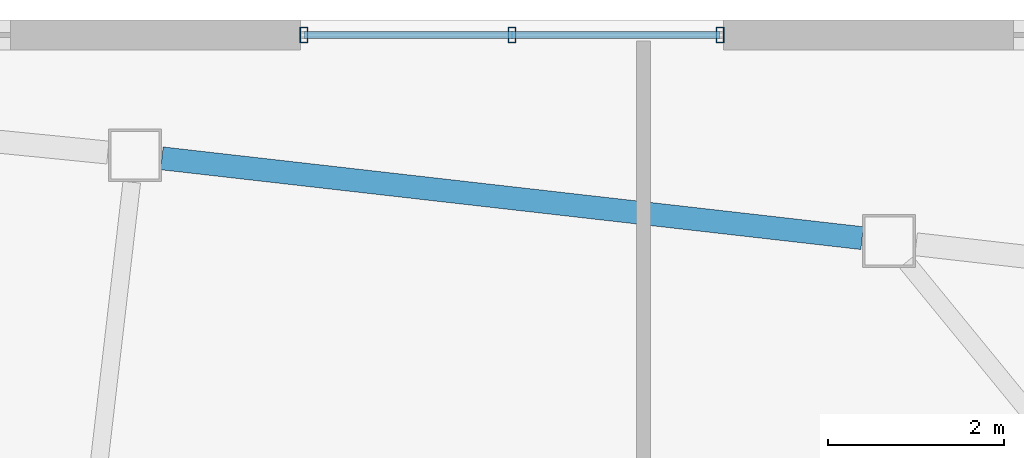
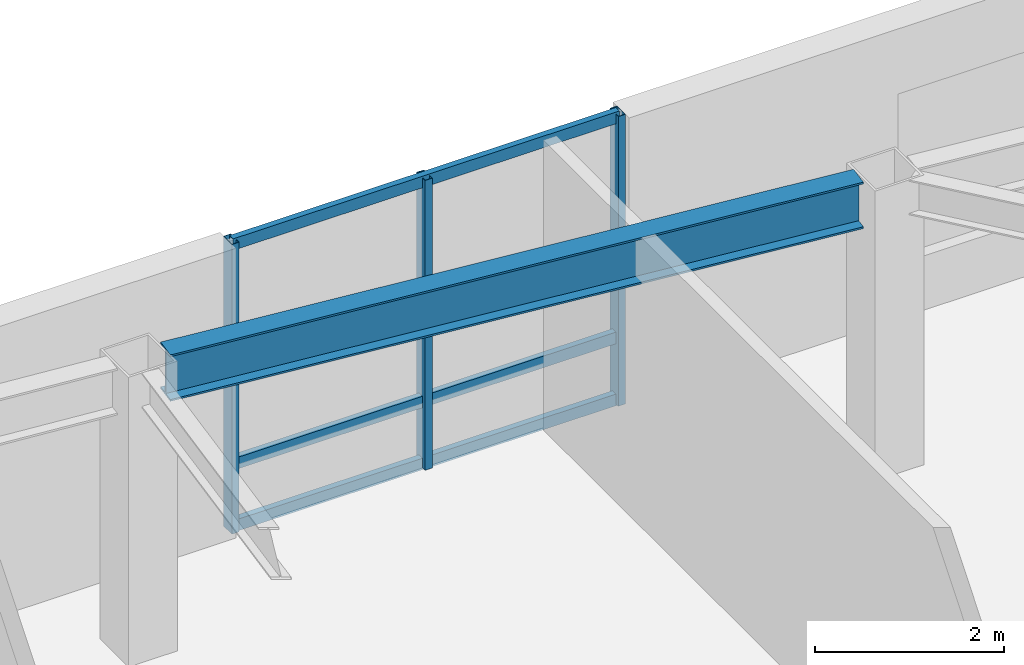
# One storey, part 8 of 18: 6 members, 1 beam, 1 element without a shape of its own.
"""IFC4 building model written with IfcOpenShell, lengths in metres."""

from ifc_helpers import new_model, si_unit, direction, frame, origin, origin_2d, place, context, subcontext, project, spatial, hollow_rectangle, i_section, extrude, material, layer, layer_set, material_profile, profile_set, type_object, element, aggregate, save


model = new_model("IFC4")

# Units and contexts
model_context = context("Model", 3, precision=1e-05, world=origin(), true_north=direction((0.0, 1.0)))
body_context = subcontext(model_context, "Body", "Model", "MODEL_VIEW")
ifc_project = project(units=[si_unit("LENGTHUNIT", "METRE"), si_unit("AREAUNIT", "SQUARE_METRE"), si_unit("VOLUMEUNIT", "CUBIC_METRE"), si_unit("PLANEANGLEUNIT", "RADIAN"), si_unit("MASSUNIT", "GRAM", prefix="KILO")], contexts=[model_context])

# Site, building, storey
site_placement = place(None, origin())
site = spatial("IfcSite", under=ifc_project, at=site_placement, CompositionType="ELEMENT")
building_placement = place(site_placement, origin())
building = spatial("IfcBuilding", under=site, at=building_placement, Name="Tavrogorsk Clinical Tower", CompositionType="ELEMENT")
storey_placement = place(building_placement, frame((0.0, 0.0, 200.199951171875)))
storey = spatial("IfcBuildingStorey", under=building, at=storey_placement, Name="L46", CompositionType="ELEMENT", Elevation=200.199951171875)

# Curtain wall, members
ifc_material_1 = material(Name="Anodised aluminium and triple IGU glazing", Category="aluminium")
ifc_layer = layer(ifc_material_1, 0.179931640625)
ifc_layer_set = layer_set([ifc_layer], Name="Anodised aluminium and triple IGU glazing")
curtain_wall_type = type_object("IfcCurtainWallType", Name="CW2_NorthSlot", PredefinedType="NOTDEFINED", material=ifc_layer_set)
curtain_wall_placement = place(storey_placement, origin())
curtain_wall = element("IfcCurtainWall", 1, at=curtain_wall_placement, inside=storey, type_object=curtain_wall_type, Name="L46 Curtain Wall CW-L46-N-SLOT-2", PredefinedType="NOTDEFINED")
ifc_material_2 = material(Name="Anodised aluminium alloy AW-6060", Category="aluminium")
ifc_material_profile_1 = material_profile(ifc_material_2, hollow_rectangle(XDim=0.090087890625, YDim=0.179931640625, WallThickness=0.00634765625, at=origin_2d()), Name="RHS-180x90x6.3")
ifc_profile_set_1 = profile_set([ifc_material_profile_1], Name="Anodised aluminium alloy AW-6060")
member_type_1 = type_object("IfcMemberType", Name="CwMullion_180x90", PredefinedType="MULLION", material=ifc_profile_set_1)
member_1_placement = place(storey_placement, frame((13.26904296875, 26.929931640625, 0.0), z_axis=(0.0, 0.0, 1.0), x_axis=(-1.0, 0.0, 0.0)))
member_1 = element("IfcMember", 2, at=member_1_placement, type_object=member_type_1, Name="CW-L46-N-SLOT-2 Mullion 1", PredefinedType="MULLION", context=body_context, shape_type="SweptSolid", body=[
    extrude(hollow_rectangle(XDim=0.090087890625, YDim=0.179931640625, WallThickness=0.00634765625, at=origin_2d()), origin(), (0.0, 0.0, 1.0), 3.739990234375),
])
member_2_placement = place(storey_placement, frame((10.91015625, 26.929931640625, 0.0), z_axis=(0.0, 0.0, 1.0), x_axis=(-1.0, 0.0, 0.0)))
member_2 = element("IfcMember", 3, at=member_2_placement, type_object=member_type_1, Name="CW-L46-N-SLOT-2 Mullion 2", PredefinedType="MULLION", context=body_context, shape_type="SweptSolid", body=[
    extrude(hollow_rectangle(XDim=0.090087890625, YDim=0.179931640625, WallThickness=0.00634765625, at=origin_2d()), origin(), (0.0, 0.0, 1.0), 3.739990234375),
])
member_3_placement = place(storey_placement, frame((8.551025390625, 26.929931640625, 0.0), z_axis=(0.0, 0.0, 1.0), x_axis=(-1.0, 0.0, 0.0)))
member_3 = element("IfcMember", 4, at=member_3_placement, type_object=member_type_1, Name="CW-L46-N-SLOT-2 Mullion 3", PredefinedType="MULLION", context=body_context, shape_type="SweptSolid", body=[
    extrude(hollow_rectangle(XDim=0.090087890625, YDim=0.179931640625, WallThickness=0.00634765625, at=origin_2d()), origin(), (0.0, 0.0, 1.0), 3.739990234375),
])
ifc_material_3 = material(Name="Anodised aluminium alloy AW-6060", Category="aluminium")
ifc_material_profile_2 = material_profile(ifc_material_3, hollow_rectangle(XDim=0.074951171875, YDim=0.14990234375, WallThickness=0.0048828125, at=origin_2d()), Name="RHS-150x75x5")
ifc_profile_set_2 = profile_set([ifc_material_profile_2], Name="Anodised aluminium alloy AW-6060")
member_type_2 = type_object("IfcMemberType", Name="CwTransom_150x75", PredefinedType="USERDEFINED", material=ifc_profile_set_2)
member_4_placement = place(storey_placement, frame((13.26904296875, 26.929931640625, 0.050048828125), z_axis=(-1.0, 0.0, 0.0), x_axis=(0.0, -1.0, 0.0)))
member_4 = element("IfcMember", 5, at=member_4_placement, type_object=member_type_2, Name="CW-L46-N-SLOT-2 Transom 1", ObjectType="TRANSOM", PredefinedType="USERDEFINED", context=body_context, shape_type="SweptSolid", body=[
    extrude(hollow_rectangle(XDim=0.074951171875, YDim=0.14990234375, WallThickness=0.0048828125, at=origin_2d()), origin(), (0.0, 0.0, 1.0), 4.718017578125),
])
member_5_placement = place(storey_placement, frame((13.26904296875, 26.929931640625, 0.85009765625), z_axis=(-1.0, 0.0, 0.0), x_axis=(0.0, -1.0, 0.0)))
member_5 = element("IfcMember", 6, at=member_5_placement, type_object=member_type_2, Name="CW-L46-N-SLOT-2 Transom 2", ObjectType="TRANSOM", PredefinedType="USERDEFINED", context=body_context, shape_type="SweptSolid", body=[
    extrude(hollow_rectangle(XDim=0.074951171875, YDim=0.14990234375, WallThickness=0.0048828125, at=origin_2d()), origin(), (0.0, 0.0, 1.0), 4.718017578125),
])
member_6_placement = place(storey_placement, frame((13.26904296875, 26.929931640625, 3.68994140625), z_axis=(-1.0, 0.0, 0.0), x_axis=(0.0, -1.0, 0.0)))
member_6 = element("IfcMember", 7, at=member_6_placement, type_object=member_type_2, Name="CW-L46-N-SLOT-2 Transom 3", ObjectType="TRANSOM", PredefinedType="USERDEFINED", context=body_context, shape_type="SweptSolid", body=[
    extrude(hollow_rectangle(XDim=0.074951171875, YDim=0.14990234375, WallThickness=0.0048828125, at=origin_2d()), origin(), (0.0, 0.0, 1.0), 4.718017578125),
])
aggregate(curtain_wall, [member_1, member_2, member_3, member_4, member_5, member_6])

# Beam
ifc_material_4 = material(Name="Structural steel S390", Category="steel")
ifc_material_profile_3 = material_profile(ifc_material_4, i_section(OverallWidth=0.260009765625, OverallDepth=0.60009765625, WebThickness=0.014892578125, FlangeThickness=0.02392578125, at=origin_2d()), Name="B-600x260x15x24")
ifc_profile_set_3 = profile_set([ifc_material_profile_3], Name="Structural steel S390")
beam_type = type_object("IfcBeamType", Name="SpandrelBeam_B600", PredefinedType="SPANDREL", material=ifc_profile_set_3)
beam_placement = place(storey_placement, frame((14.8798828125, 24.626953125, 3.43994140625), z_axis=(-0.993569449752, 0.113224328304, 0.0), x_axis=(-0.113224328304, -0.993569449752, 0.0)))
element("IfcBeam", 8, at=beam_placement, inside=storey, type_object=beam_type, Name="L46 Perimeter Spandrel N3-N4", PredefinedType="SPANDREL", context=body_context, shape_type="SweptSolid", body=[
    extrude(i_section(OverallWidth=0.260009765625, OverallDepth=0.60009765625, WebThickness=0.014892578125, FlangeThickness=0.02392578125, at=origin_2d()), origin(), (0.0, 0.0, 1.0), 7.990966796875),
])

save(model, "model.ifc")
